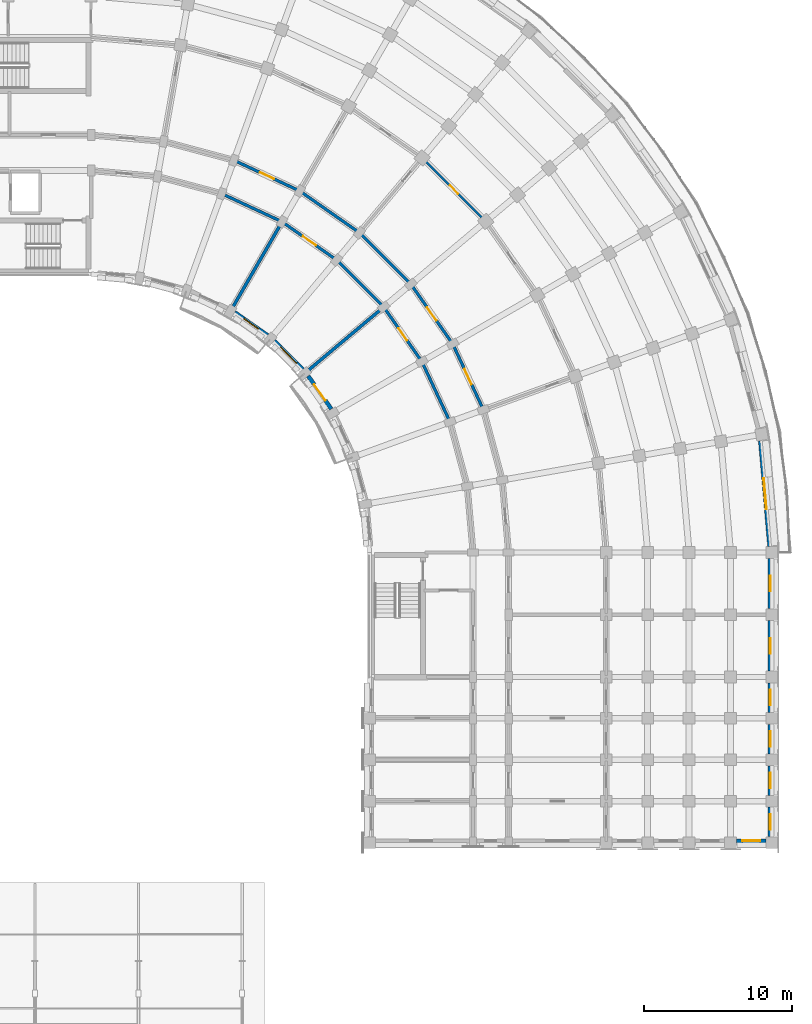
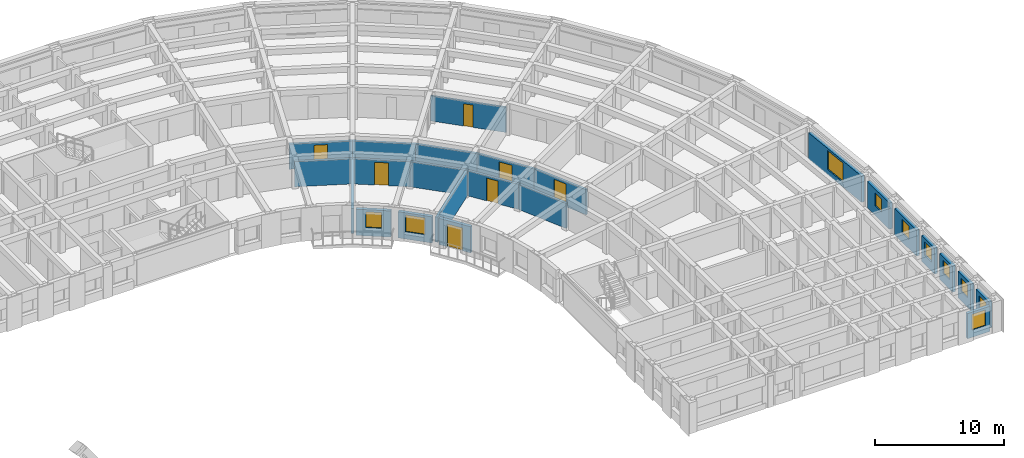
# One storey, part 53 of 76: 24 walls, 10 windows, 7 doors, 17 openings.
"""IFC4 building model written with IfcOpenShell, lengths in metres."""

from ifc_helpers import new_model, si_unit, direction, frame, frame_2d, origin, place, context, subcontext, project, spatial, rectangle, extrude, material, layer, layer_set, type_object, element, fill, save


model = new_model("IFC4")

# Units and contexts
model_context = context("Model", 3, precision=1e-05, world=origin(), true_north=direction((0.0, 1.0)))
body_context = subcontext(model_context, "Body", "Model", "MODEL_VIEW")
ifc_project = project(units=[si_unit("LENGTHUNIT", "METRE"), si_unit("AREAUNIT", "SQUARE_METRE"), si_unit("VOLUMEUNIT", "CUBIC_METRE"), si_unit("PLANEANGLEUNIT", "RADIAN"), si_unit("MASSUNIT", "GRAM", prefix="KILO")], contexts=[model_context])

# Site, building, storey
site_placement = place(None, origin())
site = spatial("IfcSite", under=ifc_project, at=site_placement, CompositionType="ELEMENT")
building_placement = place(site_placement, origin())
building = spatial("IfcBuilding", under=site, at=building_placement, Name="Kiranvali Square Residences", CompositionType="ELEMENT")
storey_placement = place(building_placement, frame((0.0, 0.0, 8.699951171875)))
storey = spatial("IfcBuildingStorey", under=building, at=storey_placement, Name="L02", CompositionType="ELEMENT", Elevation=8.699951171875)

# Wall
ifc_material_1 = material(Name="Autoclaved aerated concrete blockwork masonry", Category="masonry")
ifc_layer_1 = layer(ifc_material_1, 0.199951171875)
ifc_layer_set_1 = layer_set([ifc_layer_1], Name="Autoclaved aerated concrete blockwork masonry")
wall_type_1 = type_object("IfcWallType", Name="WL-COR-200", PredefinedType="STANDARD", material=ifc_layer_set_1)
wall_1_placement = place(storey_placement, frame((128.6240234375, 112.044189453125, 0.0), z_axis=(0.0, 0.0, 1.0), x_axis=(0.906307919131, -0.422617978463, 0.0)))
element("IfcWall", 1, at=wall_1_placement, inside=storey, type_object=wall_type_1, Name="L02 architectural wall WL-L02-B-CCI-2", PredefinedType="STANDARD", context=body_context, shape_type="SweptSolid", body=[
    extrude(rectangle(XDim=4.497314453125, YDim=0.199951171875, at=frame_2d((2.24853515625, 0.0))), origin(), (0.0, 0.0, 1.0), 2.3720703125),
])

# Wall, opening, door
wall_2_placement = place(storey_placement, frame((129.445068359375, 114.29931640625, 0.0), z_axis=(0.0, 0.0, 1.0), x_axis=(0.906302381024, -0.422629854778, 0.0)))
wall_2 = element("IfcWall", 2, at=wall_2_placement, inside=storey, type_object=wall_type_1, Name="L02 architectural wall WL-L02-B-CCO-2", PredefinedType="STANDARD", context=body_context, shape_type="SweptSolid", body=[
    extrude(rectangle(XDim=4.915283203125, YDim=0.199951171875, at=frame_2d((2.45751953125, 0.0))), origin(), (0.0, 0.0, 1.0), 2.3720703125),
])
opening_1_placement = place(wall_2_placement, frame((1.937744140625, 0.0, 0.0)))
opening_1 = element("IfcOpeningElement", 3, at=opening_1_placement, cuts=wall_2, Name="Opening FD-APT-60B", PredefinedType="OPENING", context=body_context, shape_type="SweptSolid", body=[
    extrude(rectangle(XDim=1.0400390625, YDim=2.14990234375, at=frame_2d((0.52001953125, 1.074951171875))), frame((0.0, 0.10986328125, 0.0), z_axis=(0.0, -1.0, 0.0), x_axis=(1.0, 0.0, 0.0)), (0.0, 0.0, 1.0), 0.219970703125),
])
ifc_material_2 = material(Name="Fire-rated acoustic hardwood and mineral-core door assembly", Category="wood")
door_type_1 = type_object("IfcDoorType", Name="DR-APT-1040", OperationType="NOTDEFINED", PredefinedType="DOOR", material=ifc_material_2)
door_1_placement = place(opening_1_placement, frame((1.0400390625, 0.0, 0.0), z_axis=(0.0, 0.0, 1.0), x_axis=(-1.0, 0.0, 0.0)))
door_1 = element("IfcDoor", 4, at=door_1_placement, inside=storey, type_object=door_type_1, Name="L02 door DR-L02-1098 (DR-APT-1040)", OperationType="SINGLE_SWING_RIGHT", OverallHeight=2.14990234375, OverallWidth=1.0400390625, PredefinedType="DOOR", context=body_context, shape_type="SweptSolid", body=[
    extrude(rectangle(XDim=1.0400390625, YDim=2.14990234375, at=frame_2d((0.52001953125, 1.074951171875))), frame((0.0, 0.02490234375, 0.0), z_axis=(0.0, -1.0, 0.0), x_axis=(1.0, 0.0, 0.0)), (0.0, 0.0, 1.0), 0.050048828125),
])
fill(opening_1, door_1)

wall_3_placement = place(storey_placement, frame((132.699951171875, 110.1435546875, 0.0), z_axis=(0.0, 0.0, 1.0), x_axis=(0.819155404658, -0.573571637217, 0.0)))
wall_3 = element("IfcWall", 5, at=wall_3_placement, inside=storey, type_object=wall_type_1, Name="L02 architectural wall WL-L02-B-CCI-3", PredefinedType="STANDARD", context=body_context, shape_type="SweptSolid", body=[
    extrude(rectangle(XDim=4.497314453125, YDim=0.199951171875, at=frame_2d((2.24853515625, 0.0))), origin(), (0.0, 0.0, 1.0), 2.3720703125),
])
opening_2_placement = place(wall_3_placement, frame((1.708740234375, 0.0, 0.0)))
opening_2 = element("IfcOpeningElement", 6, at=opening_2_placement, cuts=wall_3, Name="Opening FD-APT-60C", PredefinedType="OPENING", context=body_context, shape_type="SweptSolid", body=[
    extrude(rectangle(XDim=1.080078125, YDim=2.14990234375, at=frame_2d((0.5400390625, 1.074951171875))), frame((0.0, 0.10986328125, 0.0), z_axis=(0.0, -1.0, 0.0), x_axis=(1.0, 0.0, 0.0)), (0.0, 0.0, 1.0), 0.219970703125),
])
door_type_2 = type_object("IfcDoorType", Name="DR-APT-1080", OperationType="NOTDEFINED", PredefinedType="DOOR", material=ifc_material_2)
door_2_placement = place(opening_2_placement, frame((1.080078125, 0.0, 0.0), z_axis=(0.0, 0.0, 1.0), x_axis=(-1.0, 0.0, 0.0)))
door_2 = element("IfcDoor", 7, at=door_2_placement, inside=storey, type_object=door_type_2, Name="L02 door DR-L02-1110 (DR-APT-1080)", OperationType="SINGLE_SWING_RIGHT", OverallHeight=2.14990234375, OverallWidth=1.080078125, PredefinedType="DOOR", context=body_context, shape_type="SweptSolid", body=[
    extrude(rectangle(XDim=1.080078125, YDim=2.14990234375, at=frame_2d((0.5400390625, 1.074951171875))), frame((0.0, 0.02490234375, 0.0), z_axis=(0.0, -1.0, 0.0), x_axis=(1.0, 0.0, 0.0)), (0.0, 0.0, 1.0), 0.050048828125),
])
fill(opening_2, door_2)

# Walls
wall_4_placement = place(storey_placement, frame((133.89990234375, 112.221923828125, 0.0), z_axis=(0.0, 0.0, 1.0), x_axis=(0.819140911474, -0.573592335331, 0.0)))
element("IfcWall", 8, at=wall_4_placement, inside=storey, type_object=wall_type_1, Name="L02 architectural wall WL-L02-B-CCO-3", PredefinedType="STANDARD", context=body_context, shape_type="SweptSolid", body=[
    extrude(rectangle(XDim=4.915771484375, YDim=0.199951171875, at=frame_2d((2.4580078125, 0.0))), origin(), (0.0, 0.0, 1.0), 2.3720703125),
])
wall_5_placement = place(storey_placement, frame((136.384033203125, 107.56396484375, 0.0), z_axis=(0.0, 0.0, 1.0), x_axis=(0.707106781187, -0.707106781187, 0.0)))
element("IfcWall", 9, at=wall_5_placement, inside=storey, type_object=wall_type_1, Name="L02 architectural wall WL-L02-B-CCI-4", PredefinedType="STANDARD", context=body_context, shape_type="SweptSolid", body=[
    extrude(rectangle(XDim=4.4970703125, YDim=0.199951171875, at=frame_2d((2.24853515625, 0.0))), origin(), (0.0, 0.0, 1.0), 2.3720703125),
])
wall_6_placement = place(storey_placement, frame((137.926513671875, 109.40234375, 0.0), z_axis=(0.0, 0.0, 1.0), x_axis=(0.707106781187, -0.707106781187, 0.0)))
element("IfcWall", 10, at=wall_6_placement, inside=storey, type_object=wall_type_1, Name="L02 architectural wall WL-L02-B-CCO-4", PredefinedType="STANDARD", context=body_context, shape_type="SweptSolid", body=[
    extrude(rectangle(XDim=4.91552734375, YDim=0.199951171875, at=frame_2d((2.457763671875, 0.0))), origin(), (0.0, 0.0, 1.0), 2.3720703125),
])

# Wall, opening, door
wall_7_placement = place(storey_placement, frame((139.56396484375, 104.384033203125, 0.0), z_axis=(0.0, 0.0, 1.0), x_axis=(0.573571637217, -0.819155404658, 0.0)))
wall_7 = element("IfcWall", 11, at=wall_7_placement, inside=storey, type_object=wall_type_1, Name="L02 architectural wall WL-L02-B-CCI-5", PredefinedType="STANDARD", context=body_context, shape_type="SweptSolid", body=[
    extrude(rectangle(XDim=4.497314453125, YDim=0.199951171875, at=frame_2d((2.24853515625, 0.0))), origin(), (0.0, 0.0, 1.0), 2.3720703125),
])
opening_3_placement = place(wall_7_placement, frame((1.74853515625, 0.0, 0.0)))
opening_3 = element("IfcOpeningElement", 12, at=opening_3_placement, cuts=wall_7, Name="Opening FD-APT-60", PredefinedType="OPENING", context=body_context, shape_type="SweptSolid", body=[
    extrude(rectangle(XDim=1.0, YDim=2.14990234375, at=frame_2d((0.5, 1.074951171875))), frame((0.0, 0.10986328125, 0.0), z_axis=(0.0, -1.0, 0.0), x_axis=(1.0, 0.0, 0.0)), (0.0, 0.0, 1.0), 0.219970703125),
])
door_type_3 = type_object("IfcDoorType", Name="DR-APT-1000", OperationType="NOTDEFINED", PredefinedType="DOOR", material=ifc_material_2)
door_3_placement = place(opening_3_placement, origin())
door_3 = element("IfcDoor", 13, at=door_3_placement, inside=storey, type_object=door_type_3, Name="L02 door DR-L02-1111 (DR-APT-1000)", OperationType="SINGLE_SWING_LEFT", OverallHeight=2.14990234375, OverallWidth=1.0, PredefinedType="DOOR", context=body_context, shape_type="SweptSolid", body=[
    extrude(rectangle(XDim=1.0, YDim=2.14990234375, at=frame_2d((0.5, 1.074951171875))), frame((0.0, 0.02490234375, 0.0), z_axis=(0.0, -1.0, 0.0), x_axis=(1.0, 0.0, 0.0)), (0.0, 0.0, 1.0), 0.050048828125),
])
fill(opening_3, door_3)

wall_8_placement = place(storey_placement, frame((141.40234375, 105.926513671875, 0.0), z_axis=(0.0, 0.0, 1.0), x_axis=(0.573592335331, -0.819140911474, 0.0)))
wall_8 = element("IfcWall", 14, at=wall_8_placement, inside=storey, type_object=wall_type_1, Name="L02 architectural wall WL-L02-B-CCO-5", PredefinedType="STANDARD", context=body_context, shape_type="SweptSolid", body=[
    extrude(rectangle(XDim=4.915771484375, YDim=0.199951171875, at=frame_2d((2.4580078125, 0.0))), origin(), (0.0, 0.0, 1.0), 2.3720703125),
])
opening_4_placement = place(wall_8_placement, frame((1.917724609375, 0.0, 0.0)))
opening_4 = element("IfcOpeningElement", 15, at=opening_4_placement, cuts=wall_8, Name="Opening FD-APT-60C", PredefinedType="OPENING", context=body_context, shape_type="SweptSolid", body=[
    extrude(rectangle(XDim=1.080078125, YDim=2.14990234375, at=frame_2d((0.5400390625, 1.074951171875))), frame((0.0, 0.10986328125, 0.0), z_axis=(0.0, -1.0, 0.0), x_axis=(1.0, 0.0, 0.0)), (0.0, 0.0, 1.0), 0.219970703125),
])
door_4_placement = place(opening_4_placement, frame((1.080078125, 0.0, 0.0), z_axis=(0.0, 0.0, 1.0), x_axis=(-1.0, 0.0, 0.0)))
door_4 = element("IfcDoor", 16, at=door_4_placement, inside=storey, type_object=door_type_2, Name="L02 door DR-L02-1102 (DR-APT-1080)", OperationType="SINGLE_SWING_RIGHT", OverallHeight=2.14990234375, OverallWidth=1.080078125, PredefinedType="DOOR", context=body_context, shape_type="SweptSolid", body=[
    extrude(rectangle(XDim=1.080078125, YDim=2.14990234375, at=frame_2d((0.5400390625, 1.074951171875))), frame((0.0, 0.02490234375, 0.0), z_axis=(0.0, -1.0, 0.0), x_axis=(1.0, 0.0, 0.0)), (0.0, 0.0, 1.0), 0.050048828125),
])
fill(opening_4, door_4)

# Wall
wall_9_placement = place(storey_placement, frame((142.1435546875, 100.699951171875, 0.0), z_axis=(0.0, 0.0, 1.0), x_axis=(0.422617978463, -0.906307919131, 0.0)))
element("IfcWall", 17, at=wall_9_placement, inside=storey, type_object=wall_type_1, Name="L02 architectural wall WL-L02-B-CCI-6", PredefinedType="STANDARD", context=body_context, shape_type="SweptSolid", body=[
    extrude(rectangle(XDim=4.497314453125, YDim=0.199951171875, at=frame_2d((2.24853515625, 0.0))), origin(), (0.0, 0.0, 1.0), 2.3720703125),
])

# Wall, opening, door
wall_10_placement = place(storey_placement, frame((144.221923828125, 101.89990234375, 0.0), z_axis=(0.0, 0.0, 1.0), x_axis=(0.422629854778, -0.906302381024, 0.0)))
wall_10 = element("IfcWall", 18, at=wall_10_placement, inside=storey, type_object=wall_type_1, Name="L02 architectural wall WL-L02-B-CCO-6", PredefinedType="STANDARD", context=body_context, shape_type="SweptSolid", body=[
    extrude(rectangle(XDim=4.915283203125, YDim=0.199951171875, at=frame_2d((2.45751953125, 0.0))), origin(), (0.0, 0.0, 1.0), 2.3720703125),
])
opening_5_placement = place(wall_10_placement, frame((1.8876953125, 0.0, 0.0)))
opening_5 = element("IfcOpeningElement", 19, at=opening_5_placement, cuts=wall_10, Name="Opening FD-APT-60D", PredefinedType="OPENING", context=body_context, shape_type="SweptSolid", body=[
    extrude(rectangle(XDim=1.139892578125, YDim=2.14990234375, at=frame_2d((0.56982421875, 1.074951171875))), frame((0.0, 0.10986328125, 0.0), z_axis=(0.0, -1.0, 0.0), x_axis=(1.0, 0.0, 0.0)), (0.0, 0.0, 1.0), 0.219970703125),
])
door_type_4 = type_object("IfcDoorType", Name="DR-APT-1140", OperationType="NOTDEFINED", PredefinedType="DOOR", material=ifc_material_2)
door_5_placement = place(opening_5_placement, frame((1.139892578125, 0.0, 0.0), z_axis=(0.0, 0.0, 1.0), x_axis=(-1.0, 0.0, 0.0)))
door_5 = element("IfcDoor", 20, at=door_5_placement, inside=storey, type_object=door_type_4, Name="L02 door DR-L02-1104 (DR-APT-1140)", OperationType="SINGLE_SWING_RIGHT", OverallHeight=2.14990234375, OverallWidth=1.139892578125, PredefinedType="DOOR", context=body_context, shape_type="SweptSolid", body=[
    extrude(rectangle(XDim=1.139892578125, YDim=2.14990234375, at=frame_2d((0.56982421875, 1.074951171875))), frame((0.0, 0.02490234375, 0.0), z_axis=(0.0, -1.0, 0.0), x_axis=(1.0, 0.0, 0.0)), (0.0, 0.0, 1.0), 0.050048828125),
])
fill(opening_5, door_5)

# Walls
ifc_layer_2 = layer(ifc_material_1, 0.219970703125)
ifc_layer_set_2 = layer_set([ifc_layer_2], Name="Autoclaved aerated concrete blockwork masonry")
wall_type_2 = type_object("IfcWallType", Name="WL-DEM-220", PredefinedType="STANDARD", material=ifc_layer_set_2)
for number, where, z_axis, x_axis, name in (
    (21, (129.300048828125, 104.25439453125, 0.0), (0.0, 0.0, 1.0), (0.499997969693, 0.866026575979, 0.0), "L02 architectural wall WL-L02-B-RADI-3"),
    (22, (134.354736328125, 100.012939453125, 0.0), (0.0, 0.0, 1.0), (0.766046761698, 0.642784846501, 0.0), "L02 architectural wall WL-L02-B-RADI-5"),
):
    element("IfcWall", number, at=place(storey_placement, frame(where, z_axis=z_axis, x_axis=x_axis)), inside=storey, type_object=wall_type_2, Name=name, PredefinedType="STANDARD", context=body_context, shape_type="SweptSolid", body=[
        extrude(rectangle(XDim=6.75, YDim=0.219970703125, at=frame_2d((3.375, 0.0))), origin(), (0.0, 0.0, 1.0), 2.3720703125),
    ])

# Wall, opening, window
ifc_material_3 = material(Name="Breathable lime-rendered clay brick masonry", Category="masonry")
ifc_layer_3 = layer(ifc_material_3, 0.27490234375)
ifc_layer_set_3 = layer_set([ifc_layer_3], Name="Breathable lime-rendered clay brick masonry")
wall_type_3 = type_object("IfcWallType", Name="WL-EXT-275", PredefinedType="STANDARD", material=ifc_layer_set_3)
wall_11_placement = place(storey_placement, frame((165.013916015625, 95.351318359375, 0.0), z_axis=(0.0, 0.0, 1.0), x_axis=(0.08713989423, -0.99619608453, 0.0)))
wall_11 = element("IfcWall", 23, at=wall_11_placement, inside=storey, type_object=wall_type_3, Name="L02 exterior wall B-L02-CRV-08", PredefinedType="STANDARD", context=body_context, shape_type="SweptSolid", body=[
    extrude(rectangle(XDim=7.1640625, YDim=0.27490234375, at=frame_2d((3.58203125, 0.0))), origin(), (0.0, 0.0, 1.0), 2.47216796875),
])
opening_6_placement = place(wall_11_placement, frame((2.531982421875, 0.0, 0.471923828125)))
opening_6 = element("IfcOpeningElement", 24, at=opening_6_placement, cuts=wall_11, Name="Opening W-03", PredefinedType="OPENING", context=body_context, shape_type="SweptSolid", body=[
    extrude(rectangle(XDim=2.10009765625, YDim=1.800048828125, at=frame_2d((1.050048828125, 0.89990234375))), frame((0.0, 0.1474609375, 0.0), z_axis=(0.0, -1.0, 0.0), x_axis=(1.0, 0.0, 0.0)), (0.0, 0.0, 1.0), 0.294921875),
])
ifc_material_4 = material(Name="Solar-control low-e double glazing", Category="glass")
window_type_1 = type_object("IfcWindowType", Name="WIN-RES-2100x1800", PartitioningType="TRIPLE_PANEL_VERTICAL", PredefinedType="WINDOW", material=ifc_material_4)
window_1_placement = place(opening_6_placement, origin())
window_1 = element("IfcWindow", 25, at=window_1_placement, inside=storey, type_object=window_type_1, Name="L02 recessed window B-L02-CRV-08", OverallHeight=1.800048828125, OverallWidth=2.10009765625, PartitioningType="TRIPLE_PANEL_VERTICAL", PredefinedType="WINDOW", context=body_context, shape_type="SweptSolid", body=[
    extrude(rectangle(XDim=2.10009765625, YDim=1.800048828125, at=frame_2d((1.050048828125, 0.89990234375))), frame((0.0, 0.030029296875, 0.0), z_axis=(0.0, -1.0, 0.0), x_axis=(1.0, 0.0, 0.0)), (0.0, 0.0, 1.0), 0.06005859375),
])
fill(opening_6, window_1)

wall_12_placement = place(storey_placement, frame((129.5009765625, 104.023193359375, 0.0), z_axis=(0.0, 0.0, 1.0), x_axis=(0.81917282593, -0.573546755948, 0.0)))
wall_12 = element("IfcWall", 26, at=wall_12_placement, inside=storey, type_object=wall_type_3, Name="L02 exterior wall B-L02-GDN-03", PredefinedType="STANDARD", context=body_context, shape_type="SweptSolid", body=[
    extrude(rectangle(XDim=2.717529296875, YDim=0.27490234375, at=frame_2d((1.35888671875, 0.0))), origin(), (0.0, 0.0, 1.0), 2.47216796875),
])
opening_7_placement = place(wall_12_placement, frame((0.7587890625, 0.0, 0.77197265625)))
opening_7 = element("IfcOpeningElement", 27, at=opening_7_placement, cuts=wall_12, Name="Opening W-06", PredefinedType="OPENING", context=body_context, shape_type="SweptSolid", body=[
    extrude(rectangle(XDim=1.199951171875, YDim=1.5, at=frame_2d((0.60009765625, 0.75))), frame((0.0, 0.1474609375, 0.0), z_axis=(0.0, -1.0, 0.0), x_axis=(1.0, 0.0, 0.0)), (0.0, 0.0, 1.0), 0.294921875),
])
window_type_2 = type_object("IfcWindowType", Name="WIN-RES-1200x1500", PartitioningType="SINGLE_PANEL", PredefinedType="WINDOW", material=ifc_material_4)
window_2_placement = place(opening_7_placement, origin())
window_2 = element("IfcWindow", 28, at=window_2_placement, inside=storey, type_object=window_type_2, Name="L02 recessed window B-L02-GDN-03", OverallHeight=1.5, OverallWidth=1.199951171875, PartitioningType="SINGLE_PANEL", PredefinedType="WINDOW", context=body_context, shape_type="SweptSolid", body=[
    extrude(rectangle(XDim=1.199951171875, YDim=1.5, at=frame_2d((0.60009765625, 0.75))), frame((0.0, 0.030029296875, 0.0), z_axis=(0.0, -1.0, 0.0), x_axis=(1.0, 0.0, 0.0)), (0.0, 0.0, 1.0), 0.06005859375),
])
fill(opening_7, window_2)

wall_13_placement = place(storey_placement, frame((132.170654296875, 102.09228515625, 0.0), z_axis=(0.0, 0.0, 1.0), x_axis=(0.707106781187, -0.707106781187, 0.0)))
wall_13 = element("IfcWall", 29, at=wall_13_placement, inside=storey, type_object=wall_type_3, Name="L02 exterior wall B-L02-GDN-04", PredefinedType="STANDARD", context=body_context, shape_type="SweptSolid", body=[
    extrude(rectangle(XDim=2.717529296875, YDim=0.27490234375, at=frame_2d((1.35888671875, 0.0))), origin(), (0.0, 0.0, 1.0), 2.47216796875),
])
opening_8_placement = place(wall_13_placement, frame((0.583740234375, 0.0, 0.672119140625)))
opening_8 = element("IfcOpeningElement", 30, at=opening_8_placement, cuts=wall_13, Name="Opening W-18", PredefinedType="OPENING", context=body_context, shape_type="SweptSolid", body=[
    extrude(rectangle(XDim=1.550048828125, YDim=1.60009765625, at=frame_2d((0.77490234375, 0.800048828125))), frame((0.0, 0.1474609375, 0.0), z_axis=(0.0, -1.0, 0.0), x_axis=(1.0, 0.0, 0.0)), (0.0, 0.0, 1.0), 0.294921875),
])
window_type_3 = type_object("IfcWindowType", Name="WIN-GDN-1550x1600", PartitioningType="DOUBLE_PANEL_VERTICAL", PredefinedType="WINDOW", material=ifc_material_4)
window_3_placement = place(opening_8_placement, origin())
window_3 = element("IfcWindow", 31, at=window_3_placement, inside=storey, type_object=window_type_3, Name="L02 recessed window B-L02-GDN-04", OverallHeight=1.60009765625, OverallWidth=1.550048828125, PartitioningType="DOUBLE_PANEL_VERTICAL", PredefinedType="WINDOW", context=body_context, shape_type="SweptSolid", body=[
    extrude(rectangle(XDim=1.550048828125, YDim=1.60009765625, at=frame_2d((0.77490234375, 0.800048828125))), frame((0.0, 0.030029296875, 0.0), z_axis=(0.0, -1.0, 0.0), x_axis=(1.0, 0.0, 0.0)), (0.0, 0.0, 1.0), 0.06005859375),
])
fill(opening_8, window_3)

# Wall, opening, door
wall_14_placement = place(storey_placement, frame((134.464599609375, 99.72705078125, 0.0), z_axis=(0.0, 0.0, 1.0), x_axis=(0.573546755948, -0.81917282593, 0.0)))
wall_14 = element("IfcWall", 32, at=wall_14_placement, inside=storey, type_object=wall_type_3, Name="L02 exterior wall B-L02-GDN-05", PredefinedType="STANDARD", context=body_context, shape_type="SweptSolid", body=[
    extrude(rectangle(XDim=2.717529296875, YDim=0.27490234375, at=frame_2d((1.35888671875, 0.0))), origin(), (0.0, 0.0, 1.0), 2.47216796875),
])
opening_9_placement = place(wall_14_placement, frame((0.69873046875, 0.0, 0.0)))
opening_9 = element("IfcOpeningElement", 33, at=opening_9_placement, cuts=wall_14, Name="Opening ED-BAL-3", PredefinedType="OPENING", context=body_context, shape_type="SweptSolid", body=[
    extrude(rectangle(XDim=1.320068359375, YDim=2.14990234375, at=frame_2d((0.66015625, 1.074951171875))), frame((0.0, 0.1474609375, 0.0), z_axis=(0.0, -1.0, 0.0), x_axis=(1.0, 0.0, 0.0)), (0.0, 0.0, 1.0), 0.294921875),
])
ifc_material_5 = material(Name="Anodised bronze aluminium framing", Category="aluminium")
door_type_5 = type_object("IfcDoorType", Name="DR-BAL-1320", OperationType="NOTDEFINED", PredefinedType="DOOR", material=ifc_material_5)
door_6_placement = place(opening_9_placement, frame((1.320068359375, 0.0, 0.0), z_axis=(0.0, 0.0, 1.0), x_axis=(-1.0, 0.0, 0.0)))
door_6 = element("IfcDoor", 34, at=door_6_placement, inside=storey, type_object=door_type_5, Name="L02 balcony terrace door", OperationType="SINGLE_SWING_LEFT", OverallHeight=2.14990234375, OverallWidth=1.320068359375, PredefinedType="DOOR", context=body_context, shape_type="SweptSolid", body=[
    extrude(rectangle(XDim=1.320068359375, YDim=2.14990234375, at=frame_2d((0.66015625, 1.074951171875))), frame((0.0, 0.02490234375, 0.0), z_axis=(0.0, -1.0, 0.0), x_axis=(1.0, 0.0, 0.0)), (0.0, 0.0, 1.0), 0.050048828125),
])
fill(opening_9, door_6)

# Wall, opening, window
wall_15_placement = place(storey_placement, frame((165.675048828125, 87.396484375, 0.0), z_axis=(0.0, 0.0, 1.0), x_axis=(0.0, -1.0, 0.0)))
wall_15 = element("IfcWall", 35, at=wall_15_placement, inside=storey, type_object=wall_type_3, Name="L02 exterior wall B-L02-A2O-0", PredefinedType="STANDARD", context=body_context, shape_type="SweptSolid", body=[
    extrude(rectangle(XDim=3.39306640625, YDim=0.27490234375, at=frame_2d((1.696533203125, 0.0))), origin(), (0.0, 0.0, 1.0), 2.47216796875),
])
opening_10_placement = place(wall_15_placement, frame((1.17138671875, 0.0, 0.8798828125)))
opening_10 = element("IfcOpeningElement", 36, at=opening_10_placement, cuts=wall_15, Name="Opening W-24", PredefinedType="OPENING", context=body_context, shape_type="SweptSolid", body=[
    extrude(rectangle(XDim=1.050048828125, YDim=1.25, at=frame_2d((0.52490234375, 0.625))), frame((0.0, 0.1474609375, 0.0), z_axis=(0.0, -1.0, 0.0), x_axis=(1.0, 0.0, 0.0)), (0.0, 0.0, 1.0), 0.294921875),
])
window_type_4 = type_object("IfcWindowType", Name="WIN-COR-1050x1250", PartitioningType="SINGLE_PANEL", PredefinedType="WINDOW", material=ifc_material_4)
window_4_placement = place(opening_10_placement, origin())
window_4 = element("IfcWindow", 37, at=window_4_placement, inside=storey, type_object=window_type_4, Name="L02 recessed window B-L02-A2O-0", OverallHeight=1.25, OverallWidth=1.050048828125, PartitioningType="SINGLE_PANEL", PredefinedType="WINDOW", context=body_context, shape_type="SweptSolid", body=[
    extrude(rectangle(XDim=1.050048828125, YDim=1.25, at=frame_2d((0.52490234375, 0.625))), frame((0.0, 0.030029296875, 0.0), z_axis=(0.0, -1.0, 0.0), x_axis=(1.0, 0.0, 0.0)), (0.0, 0.0, 1.0), 0.06005859375),
])
fill(opening_10, window_4)

wall_16_placement = place(storey_placement, frame((165.675048828125, 83.196533203125, 0.0), z_axis=(0.0, 0.0, 1.0), x_axis=(0.0, -1.0, 0.0)))
wall_16 = element("IfcWall", 38, at=wall_16_placement, inside=storey, type_object=wall_type_3, Name="L02 exterior wall B-L02-A2O-1", PredefinedType="STANDARD", context=body_context, shape_type="SweptSolid", body=[
    extrude(rectangle(XDim=3.39306640625, YDim=0.27490234375, at=frame_2d((1.696533203125, 0.0))), origin(), (0.0, 0.0, 1.0), 2.47216796875),
])
opening_11_placement = place(wall_16_placement, frame((1.17138671875, 0.0, 0.8798828125)))
opening_11 = element("IfcOpeningElement", 39, at=opening_11_placement, cuts=wall_16, Name="Opening W-24", PredefinedType="OPENING", context=body_context, shape_type="SweptSolid", body=[
    extrude(rectangle(XDim=1.050048828125, YDim=1.25, at=frame_2d((0.52490234375, 0.625))), frame((0.0, 0.1474609375, 0.0), z_axis=(0.0, -1.0, 0.0), x_axis=(1.0, 0.0, 0.0)), (0.0, 0.0, 1.0), 0.294921875),
])
window_5_placement = place(opening_11_placement, origin())
window_5 = element("IfcWindow", 40, at=window_5_placement, inside=storey, type_object=window_type_4, Name="L02 recessed window B-L02-A2O-1", OverallHeight=1.25, OverallWidth=1.050048828125, PartitioningType="SINGLE_PANEL", PredefinedType="WINDOW", context=body_context, shape_type="SweptSolid", body=[
    extrude(rectangle(XDim=1.050048828125, YDim=1.25, at=frame_2d((0.52490234375, 0.625))), frame((0.0, 0.030029296875, 0.0), z_axis=(0.0, -1.0, 0.0), x_axis=(1.0, 0.0, 0.0)), (0.0, 0.0, 1.0), 0.06005859375),
])
fill(opening_11, window_5)

wall_17_placement = place(storey_placement, frame((165.675048828125, 78.99658203125, 0.0), z_axis=(0.0, 0.0, 1.0), x_axis=(0.0, -1.0, 0.0)))
wall_17 = element("IfcWall", 41, at=wall_17_placement, inside=storey, type_object=wall_type_3, Name="L02 exterior wall B-L02-A2O-2", PredefinedType="STANDARD", context=body_context, shape_type="SweptSolid", body=[
    extrude(rectangle(XDim=1.9931640625, YDim=0.27490234375, at=frame_2d((0.99658203125, 0.0))), origin(), (0.0, 0.0, 1.0), 2.47216796875),
])
opening_12_placement = place(wall_17_placement, frame((0.471435546875, 0.0, 0.8798828125)))
opening_12 = element("IfcOpeningElement", 42, at=opening_12_placement, cuts=wall_17, Name="Opening W-24", PredefinedType="OPENING", context=body_context, shape_type="SweptSolid", body=[
    extrude(rectangle(XDim=1.050048828125, YDim=1.25, at=frame_2d((0.52490234375, 0.625))), frame((0.0, 0.1474609375, 0.0), z_axis=(0.0, -1.0, 0.0), x_axis=(1.0, 0.0, 0.0)), (0.0, 0.0, 1.0), 0.294921875),
])
window_6_placement = place(opening_12_placement, origin())
window_6 = element("IfcWindow", 43, at=window_6_placement, inside=storey, type_object=window_type_4, Name="L02 recessed window B-L02-A2O-2", OverallHeight=1.25, OverallWidth=1.050048828125, PartitioningType="SINGLE_PANEL", PredefinedType="WINDOW", context=body_context, shape_type="SweptSolid", body=[
    extrude(rectangle(XDim=1.050048828125, YDim=1.25, at=frame_2d((0.52490234375, 0.625))), frame((0.0, 0.030029296875, 0.0), z_axis=(0.0, -1.0, 0.0), x_axis=(1.0, 0.0, 0.0)), (0.0, 0.0, 1.0), 0.06005859375),
])
fill(opening_12, window_6)

wall_18_placement = place(storey_placement, frame((165.675048828125, 76.196533203125, 0.0), z_axis=(0.0, 0.0, 1.0), x_axis=(0.0, -1.0, 0.0)))
wall_18 = element("IfcWall", 44, at=wall_18_placement, inside=storey, type_object=wall_type_3, Name="L02 exterior wall B-L02-A2O-3", PredefinedType="STANDARD", context=body_context, shape_type="SweptSolid", body=[
    extrude(rectangle(XDim=1.992919921875, YDim=0.27490234375, at=frame_2d((0.99658203125, 0.0))), origin(), (0.0, 0.0, 1.0), 2.47216796875),
])
opening_13_placement = place(wall_18_placement, frame((0.471435546875, 0.0, 0.8798828125)))
opening_13 = element("IfcOpeningElement", 45, at=opening_13_placement, cuts=wall_18, Name="Opening W-24", PredefinedType="OPENING", context=body_context, shape_type="SweptSolid", body=[
    extrude(rectangle(XDim=1.050048828125, YDim=1.25, at=frame_2d((0.52490234375, 0.625))), frame((0.0, 0.1474609375, 0.0), z_axis=(0.0, -1.0, 0.0), x_axis=(1.0, 0.0, 0.0)), (0.0, 0.0, 1.0), 0.294921875),
])
window_7_placement = place(opening_13_placement, origin())
window_7 = element("IfcWindow", 46, at=window_7_placement, inside=storey, type_object=window_type_4, Name="L02 recessed window B-L02-A2O-3", OverallHeight=1.25, OverallWidth=1.050048828125, PartitioningType="SINGLE_PANEL", PredefinedType="WINDOW", context=body_context, shape_type="SweptSolid", body=[
    extrude(rectangle(XDim=1.050048828125, YDim=1.25, at=frame_2d((0.52490234375, 0.625))), frame((0.0, 0.030029296875, 0.0), z_axis=(0.0, -1.0, 0.0), x_axis=(1.0, 0.0, 0.0)), (0.0, 0.0, 1.0), 0.06005859375),
])
fill(opening_13, window_7)

wall_19_placement = place(storey_placement, frame((165.675048828125, 73.396484375, 0.0), z_axis=(0.0, 0.0, 1.0), x_axis=(0.0, -1.0, 0.0)))
wall_19 = element("IfcWall", 47, at=wall_19_placement, inside=storey, type_object=wall_type_3, Name="L02 exterior wall B-L02-A2O-4", PredefinedType="STANDARD", context=body_context, shape_type="SweptSolid", body=[
    extrude(rectangle(XDim=1.992919921875, YDim=0.27490234375, at=frame_2d((0.99658203125, 0.0))), origin(), (0.0, 0.0, 1.0), 2.47216796875),
])
opening_14_placement = place(wall_19_placement, frame((0.471435546875, 0.0, 0.8798828125)))
opening_14 = element("IfcOpeningElement", 48, at=opening_14_placement, cuts=wall_19, Name="Opening W-24", PredefinedType="OPENING", context=body_context, shape_type="SweptSolid", body=[
    extrude(rectangle(XDim=1.050048828125, YDim=1.25, at=frame_2d((0.52490234375, 0.625))), frame((0.0, 0.1474609375, 0.0), z_axis=(0.0, -1.0, 0.0), x_axis=(1.0, 0.0, 0.0)), (0.0, 0.0, 1.0), 0.294921875),
])
window_8_placement = place(opening_14_placement, origin())
window_8 = element("IfcWindow", 49, at=window_8_placement, inside=storey, type_object=window_type_4, Name="L02 recessed window B-L02-A2O-4", OverallHeight=1.25, OverallWidth=1.050048828125, PartitioningType="SINGLE_PANEL", PredefinedType="WINDOW", context=body_context, shape_type="SweptSolid", body=[
    extrude(rectangle(XDim=1.050048828125, YDim=1.25, at=frame_2d((0.52490234375, 0.625))), frame((0.0, 0.030029296875, 0.0), z_axis=(0.0, -1.0, 0.0), x_axis=(1.0, 0.0, 0.0)), (0.0, 0.0, 1.0), 0.06005859375),
])
fill(opening_14, window_8)

wall_20_placement = place(storey_placement, frame((165.675048828125, 70.596435546875, 0.0), z_axis=(0.0, 0.0, 1.0), x_axis=(0.0, -1.0, 0.0)))
wall_20 = element("IfcWall", 50, at=wall_20_placement, inside=storey, type_object=wall_type_3, Name="L02 exterior wall B-L02-A2O-5", PredefinedType="STANDARD", context=body_context, shape_type="SweptSolid", body=[
    extrude(rectangle(XDim=1.992919921875, YDim=0.27490234375, at=frame_2d((0.99658203125, 0.0))), origin(), (0.0, 0.0, 1.0), 2.47216796875),
])
opening_15_placement = place(wall_20_placement, frame((0.471435546875, 0.0, 0.8798828125)))
opening_15 = element("IfcOpeningElement", 51, at=opening_15_placement, cuts=wall_20, Name="Opening W-24", PredefinedType="OPENING", context=body_context, shape_type="SweptSolid", body=[
    extrude(rectangle(XDim=1.050048828125, YDim=1.25, at=frame_2d((0.52490234375, 0.625))), frame((0.0, 0.1474609375, 0.0), z_axis=(0.0, -1.0, 0.0), x_axis=(1.0, 0.0, 0.0)), (0.0, 0.0, 1.0), 0.294921875),
])
window_9_placement = place(opening_15_placement, origin())
window_9 = element("IfcWindow", 52, at=window_9_placement, inside=storey, type_object=window_type_4, Name="L02 recessed window B-L02-A2O-5", OverallHeight=1.25, OverallWidth=1.050048828125, PartitioningType="SINGLE_PANEL", PredefinedType="WINDOW", context=body_context, shape_type="SweptSolid", body=[
    extrude(rectangle(XDim=1.050048828125, YDim=1.25, at=frame_2d((0.52490234375, 0.625))), frame((0.0, 0.030029296875, 0.0), z_axis=(0.0, -1.0, 0.0), x_axis=(1.0, 0.0, 0.0)), (0.0, 0.0, 1.0), 0.06005859375),
])
fill(opening_15, window_9)

wall_21_placement = place(storey_placement, frame((163.403564453125, 68.324951171875, 0.0), z_axis=(0.0, 0.0, 1.0), x_axis=(1.0, 0.0, 0.0)))
wall_21 = element("IfcWall", 53, at=wall_21_placement, inside=storey, type_object=wall_type_3, Name="L02 exterior wall B-L02-A2END-6", PredefinedType="STANDARD", context=body_context, shape_type="SweptSolid", body=[
    extrude(rectangle(XDim=1.992919921875, YDim=0.27490234375, at=frame_2d((0.99658203125, 0.0))), origin(), (0.0, 0.0, 1.0), 2.3720703125),
])
opening_16_placement = place(wall_21_placement, frame((0.396484375, 0.0, 0.672119140625)))
opening_16 = element("IfcOpeningElement", 54, at=opening_16_placement, cuts=wall_21, Name="Opening W-06", PredefinedType="OPENING", context=body_context, shape_type="SweptSolid", body=[
    extrude(rectangle(XDim=1.199951171875, YDim=1.5, at=frame_2d((0.60009765625, 0.75))), frame((0.0, 0.1474609375, 0.0), z_axis=(0.0, -1.0, 0.0), x_axis=(1.0, 0.0, 0.0)), (0.0, 0.0, 1.0), 0.294921875),
])
window_10_placement = place(opening_16_placement, origin())
window_10 = element("IfcWindow", 55, at=window_10_placement, inside=storey, type_object=window_type_2, Name="L02 recessed window B-L02-A2END-6", OverallHeight=1.5, OverallWidth=1.199951171875, PartitioningType="SINGLE_PANEL", PredefinedType="WINDOW", context=body_context, shape_type="SweptSolid", body=[
    extrude(rectangle(XDim=1.199951171875, YDim=1.5, at=frame_2d((0.60009765625, 0.75))), frame((0.0, 0.030029296875, 0.0), z_axis=(0.0, -1.0, 0.0), x_axis=(1.0, 0.0, 0.0)), (0.0, 0.0, 1.0), 0.06005859375),
])
fill(opening_16, window_10)

# Wall, opening, door
ifc_layer_4 = layer(ifc_material_1, 0.14990234375)
ifc_layer_set_4 = layer_set([ifc_layer_4], Name="Autoclaved aerated concrete blockwork masonry")
wall_type_4 = type_object("IfcWallType", Name="WL-WET-150", PredefinedType="PLUMBINGWALL", material=ifc_layer_set_4)
wall_22_placement = place(storey_placement, frame((142.1689453125, 114.458251953125, 0.0), z_axis=(0.0, 0.0, 1.0), x_axis=(0.707106781187, -0.707106781187, 0.0)))
wall_22 = element("IfcWall", 56, at=wall_22_placement, inside=storey, type_object=wall_type_4, Name="L02 architectural wall WL-L02-B-CWET-4", PredefinedType="PLUMBINGWALL", context=body_context, shape_type="SweptSolid", body=[
    extrude(rectangle(XDim=6.06591796875, YDim=0.14990234375, at=frame_2d((3.032958984375, 0.0))), origin(), (0.0, 0.0, 1.0), 2.3720703125),
])
opening_17_placement = place(wall_22_placement, frame((2.633056640625, 0.0, 0.0)))
opening_17 = element("IfcOpeningElement", 57, at=opening_17_placement, cuts=wall_22, Name="Opening ID-WET", PredefinedType="OPENING", context=body_context, shape_type="SweptSolid", body=[
    extrude(rectangle(XDim=0.800048828125, YDim=2.10009765625, at=frame_2d((0.39990234375, 1.050048828125))), frame((0.0, 0.0849609375, 0.0), z_axis=(0.0, -1.0, 0.0), x_axis=(1.0, 0.0, 0.0)), (0.0, 0.0, 1.0), 0.169921875),
])
ifc_material_6 = material(Name="Solid seasoned teak hardwood joinery", Category="wood")
door_type_6 = type_object("IfcDoorType", Name="DR-WET-800", OperationType="NOTDEFINED", PredefinedType="DOOR", material=ifc_material_6)
door_7_placement = place(opening_17_placement, origin())
door_7 = element("IfcDoor", 58, at=door_7_placement, inside=storey, type_object=door_type_6, Name="L02 door DR-L02-1101 (DR-WET-800)", OperationType="SINGLE_SWING_LEFT", OverallHeight=2.10009765625, OverallWidth=0.800048828125, PredefinedType="DOOR", context=body_context, shape_type="SweptSolid", body=[
    extrude(rectangle(XDim=0.800048828125, YDim=2.10009765625, at=frame_2d((0.39990234375, 1.050048828125))), frame((0.0, 0.02490234375, 0.0), z_axis=(0.0, -1.0, 0.0), x_axis=(1.0, 0.0, 0.0)), (0.0, 0.0, 1.0), 0.050048828125),
])
fill(opening_17, door_7)

save(model, "model.ifc")
